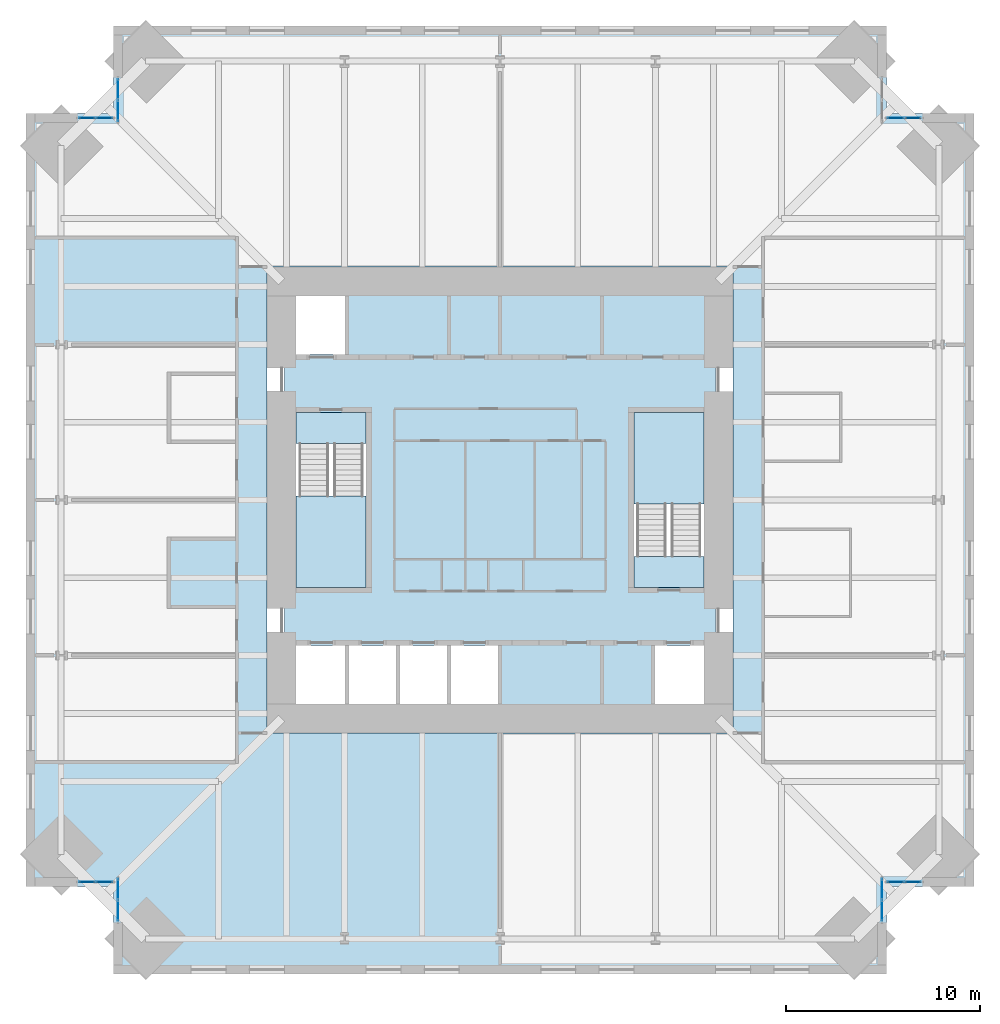
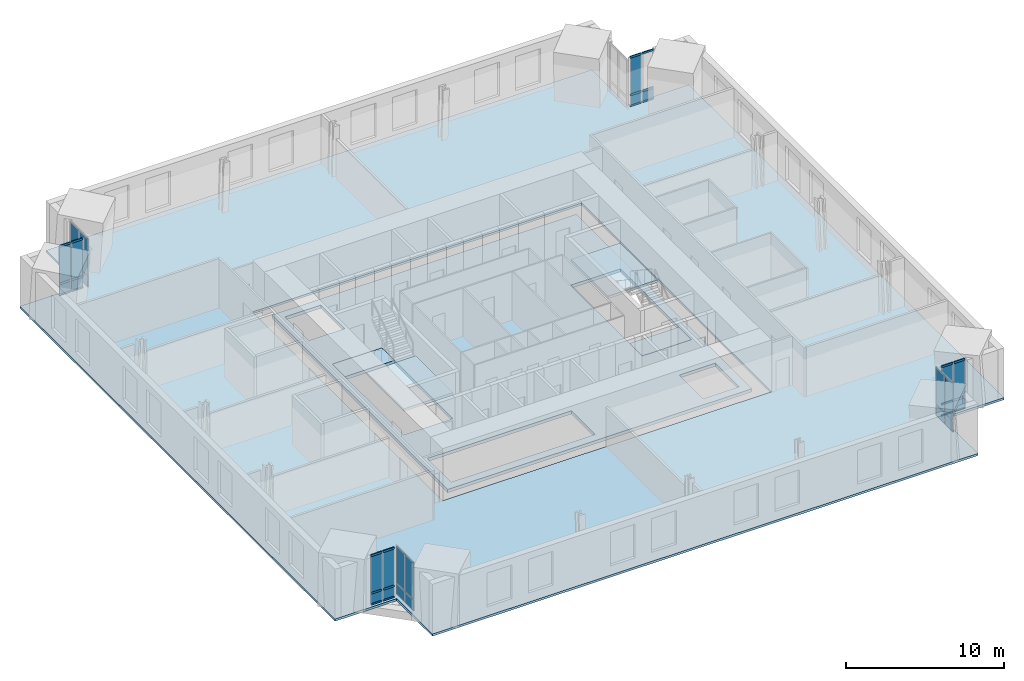
# One storey, part 9 of 15: 27 plates, 24 members, 6 slabs, 9 elements without a shape of their own.
"""IFC4 building model written with IfcOpenShell, lengths in metres."""

from ifc_helpers import new_model, si_unit, direction, frame, origin, origin_2d, place, context, subcontext, project, spatial, polyline, rectangle, hollow_rectangle, outline, extrude, material, layer, layer_set, material_profile, profile_set, type_object, element, aggregate, save


model = new_model("IFC4")

# Units and contexts
model_context = context("Model", 3, precision=1e-05, world=origin(), true_north=direction((0.0, 1.0)))
body_context = subcontext(model_context, "Body", "Model", "MODEL_VIEW")
ifc_project = project(units=[si_unit("LENGTHUNIT", "METRE"), si_unit("AREAUNIT", "SQUARE_METRE"), si_unit("VOLUMEUNIT", "CUBIC_METRE"), si_unit("PLANEANGLEUNIT", "RADIAN"), si_unit("MASSUNIT", "GRAM", prefix="KILO")], contexts=[model_context])

# Site, building, storey
site_placement = place(None, origin())
site = spatial("IfcSite", under=ifc_project, at=site_placement, CompositionType="ELEMENT")
building_placement = place(site_placement, origin())
building = spatial("IfcBuilding", under=site, at=building_placement, Name="Peilmerk Tower", CompositionType="ELEMENT")
storey_placement = place(building_placement, frame((0.0, 0.0, 205.800048828125)))
storey = spatial("IfcBuildingStorey", under=building, at=storey_placement, Name="L44", CompositionType="ELEMENT", Elevation=205.800048828125)

# Curtain wall, members
ifc_material_1 = material(Name="Aluminium stick curtain wall", Category="aluminium")
curtain_wall_type = type_object("IfcCurtainWallType", Name="CW4 stick curtain wall, 2250 module", PredefinedType="NOTDEFINED", material=ifc_material_1)
curtain_wall_1_placement = place(storey_placement, origin())
curtain_wall_1 = element("IfcCurtainWall", 1, at=curtain_wall_1_placement, inside=storey, type_object=curtain_wall_type, Name="Curtain wall CW4 NEB L44", PredefinedType="NOTDEFINED")
ifc_material_2 = material(Name="Aluminium EN AW-6063 T6", Category="aluminium")
ifc_material_profile = material_profile(ifc_material_2, hollow_rectangle(XDim=0.06494140625, YDim=0.14990234375, WallThickness=0.0029296875, at=origin_2d()), Name="AL 150x65x3")
ifc_profile_set = profile_set([ifc_material_profile], Name="Aluminium EN AW-6063 T6")
member_type = type_object("IfcMemberType", Name="CW4-T AL 150x65x3 transom", PredefinedType="USERDEFINED", material=ifc_profile_set)
member_1_placement = place(storey_placement, frame((19.965087890625, 19.675048828125, 0.032470703125), z_axis=(1.0, 0.0, 0.0), x_axis=(0.0, 1.0, 0.0)))
member_1 = element("IfcMember", 2, at=member_1_placement, type_object=member_type, Name="CW4 transom 1.1", ObjectType="TRANSOM", PredefinedType="USERDEFINED", context=body_context, shape_type="SweptSolid", body=[
    extrude(hollow_rectangle(XDim=0.06494140625, YDim=0.14990234375, WallThickness=0.0029296875, at=origin_2d()), origin(), (0.0, 0.0, 1.0), 0.82177734375),
])
member_2_placement = place(storey_placement, frame((19.965087890625, 19.675048828125, 0.89990234375), z_axis=(1.0, 0.0, 0.0), x_axis=(0.0, 1.0, 0.0)))
member_2 = element("IfcMember", 3, at=member_2_placement, type_object=member_type, Name="CW4 transom 1.2", ObjectType="TRANSOM", PredefinedType="USERDEFINED", context=body_context, shape_type="SweptSolid", body=[
    extrude(hollow_rectangle(XDim=0.06494140625, YDim=0.14990234375, WallThickness=0.0029296875, at=origin_2d()), origin(), (0.0, 0.0, 1.0), 0.82177734375),
])
member_3_placement = place(storey_placement, frame((19.965087890625, 19.675048828125, 3.79736328125), z_axis=(1.0, 0.0, 0.0), x_axis=(0.0, 1.0, 0.0)))
member_3 = element("IfcMember", 4, at=member_3_placement, type_object=member_type, Name="CW4 transom 1.3", ObjectType="TRANSOM", PredefinedType="USERDEFINED", context=body_context, shape_type="SweptSolid", body=[
    extrude(hollow_rectangle(XDim=0.06494140625, YDim=0.14990234375, WallThickness=0.0029296875, at=origin_2d()), origin(), (0.0, 0.0, 1.0), 0.82177734375),
])
member_4_placement = place(storey_placement, frame((20.851806640625, 19.675048828125, 0.032470703125), z_axis=(1.0, 0.0, 0.0), x_axis=(0.0, 1.0, 0.0)))
member_4 = element("IfcMember", 5, at=member_4_placement, type_object=member_type, Name="CW4 transom 2.1", ObjectType="TRANSOM", PredefinedType="USERDEFINED", context=body_context, shape_type="SweptSolid", body=[
    extrude(hollow_rectangle(XDim=0.06494140625, YDim=0.14990234375, WallThickness=0.0029296875, at=origin_2d()), origin(), (0.0, 0.0, 1.0), 0.82177734375),
])
member_5_placement = place(storey_placement, frame((20.851806640625, 19.675048828125, 0.89990234375), z_axis=(1.0, 0.0, 0.0), x_axis=(0.0, 1.0, 0.0)))
member_5 = element("IfcMember", 6, at=member_5_placement, type_object=member_type, Name="CW4 transom 2.2", ObjectType="TRANSOM", PredefinedType="USERDEFINED", context=body_context, shape_type="SweptSolid", body=[
    extrude(hollow_rectangle(XDim=0.06494140625, YDim=0.14990234375, WallThickness=0.0029296875, at=origin_2d()), origin(), (0.0, 0.0, 1.0), 0.82177734375),
])
member_6_placement = place(storey_placement, frame((20.851806640625, 19.675048828125, 3.79736328125), z_axis=(1.0, 0.0, 0.0), x_axis=(0.0, 1.0, 0.0)))
member_6 = element("IfcMember", 7, at=member_6_placement, type_object=member_type, Name="CW4 transom 2.3", ObjectType="TRANSOM", PredefinedType="USERDEFINED", context=body_context, shape_type="SweptSolid", body=[
    extrude(hollow_rectangle(XDim=0.06494140625, YDim=0.14990234375, WallThickness=0.0029296875, at=origin_2d()), origin(), (0.0, 0.0, 1.0), 0.82177734375),
])

curtain_wall_2_placement = place(storey_placement, origin())
curtain_wall_2 = element("IfcCurtainWall", 8, at=curtain_wall_2_placement, inside=storey, type_object=curtain_wall_type, Name="Curtain wall CW4 SEB L44", PredefinedType="NOTDEFINED")
member_7_placement = place(storey_placement, frame((19.965087890625, -19.675048828125, 0.032470703125), z_axis=(1.0, 0.0, 0.0), x_axis=(0.0, 1.0, 0.0)))
member_7 = element("IfcMember", 9, at=member_7_placement, type_object=member_type, Name="CW4 transom 1.1", ObjectType="TRANSOM", PredefinedType="USERDEFINED", context=body_context, shape_type="SweptSolid", body=[
    extrude(hollow_rectangle(XDim=0.06494140625, YDim=0.14990234375, WallThickness=0.0029296875, at=origin_2d()), origin(), (0.0, 0.0, 1.0), 0.82177734375),
])
member_8_placement = place(storey_placement, frame((19.965087890625, -19.675048828125, 0.89990234375), z_axis=(1.0, 0.0, 0.0), x_axis=(0.0, 1.0, 0.0)))
member_8 = element("IfcMember", 10, at=member_8_placement, type_object=member_type, Name="CW4 transom 1.2", ObjectType="TRANSOM", PredefinedType="USERDEFINED", context=body_context, shape_type="SweptSolid", body=[
    extrude(hollow_rectangle(XDim=0.06494140625, YDim=0.14990234375, WallThickness=0.0029296875, at=origin_2d()), origin(), (0.0, 0.0, 1.0), 0.82177734375),
])
member_9_placement = place(storey_placement, frame((19.965087890625, -19.675048828125, 3.79736328125), z_axis=(1.0, 0.0, 0.0), x_axis=(0.0, 1.0, 0.0)))
member_9 = element("IfcMember", 11, at=member_9_placement, type_object=member_type, Name="CW4 transom 1.3", ObjectType="TRANSOM", PredefinedType="USERDEFINED", context=body_context, shape_type="SweptSolid", body=[
    extrude(hollow_rectangle(XDim=0.06494140625, YDim=0.14990234375, WallThickness=0.0029296875, at=origin_2d()), origin(), (0.0, 0.0, 1.0), 0.82177734375),
])
member_10_placement = place(storey_placement, frame((20.851806640625, -19.675048828125, 0.032470703125), z_axis=(1.0, 0.0, 0.0), x_axis=(0.0, 1.0, 0.0)))
member_10 = element("IfcMember", 12, at=member_10_placement, type_object=member_type, Name="CW4 transom 2.1", ObjectType="TRANSOM", PredefinedType="USERDEFINED", context=body_context, shape_type="SweptSolid", body=[
    extrude(hollow_rectangle(XDim=0.06494140625, YDim=0.14990234375, WallThickness=0.0029296875, at=origin_2d()), origin(), (0.0, 0.0, 1.0), 0.82177734375),
])
member_11_placement = place(storey_placement, frame((20.851806640625, -19.675048828125, 0.89990234375), z_axis=(1.0, 0.0, 0.0), x_axis=(0.0, 1.0, 0.0)))
member_11 = element("IfcMember", 13, at=member_11_placement, type_object=member_type, Name="CW4 transom 2.2", ObjectType="TRANSOM", PredefinedType="USERDEFINED", context=body_context, shape_type="SweptSolid", body=[
    extrude(hollow_rectangle(XDim=0.06494140625, YDim=0.14990234375, WallThickness=0.0029296875, at=origin_2d()), origin(), (0.0, 0.0, 1.0), 0.82177734375),
])
member_12_placement = place(storey_placement, frame((20.851806640625, -19.675048828125, 3.79736328125), z_axis=(1.0, 0.0, 0.0), x_axis=(0.0, 1.0, 0.0)))
member_12 = element("IfcMember", 14, at=member_12_placement, type_object=member_type, Name="CW4 transom 2.3", ObjectType="TRANSOM", PredefinedType="USERDEFINED", context=body_context, shape_type="SweptSolid", body=[
    extrude(hollow_rectangle(XDim=0.06494140625, YDim=0.14990234375, WallThickness=0.0029296875, at=origin_2d()), origin(), (0.0, 0.0, 1.0), 0.82177734375),
])

curtain_wall_3_placement = place(storey_placement, origin())
curtain_wall_3 = element("IfcCurtainWall", 15, at=curtain_wall_3_placement, inside=storey, type_object=curtain_wall_type, Name="Curtain wall CW4 SWB L44", PredefinedType="NOTDEFINED")
member_13_placement = place(storey_placement, frame((-19.965087890625, -19.675048828125, 0.032470703125), z_axis=(-1.0, 0.0, 0.0), x_axis=(0.0, -1.0, 0.0)))
member_13 = element("IfcMember", 16, at=member_13_placement, type_object=member_type, Name="CW4 transom 1.1", ObjectType="TRANSOM", PredefinedType="USERDEFINED", context=body_context, shape_type="SweptSolid", body=[
    extrude(hollow_rectangle(XDim=0.06494140625, YDim=0.14990234375, WallThickness=0.0029296875, at=origin_2d()), origin(), (0.0, 0.0, 1.0), 0.82177734375),
])
member_14_placement = place(storey_placement, frame((-19.965087890625, -19.675048828125, 0.89990234375), z_axis=(-1.0, 0.0, 0.0), x_axis=(0.0, -1.0, 0.0)))
member_14 = element("IfcMember", 17, at=member_14_placement, type_object=member_type, Name="CW4 transom 1.2", ObjectType="TRANSOM", PredefinedType="USERDEFINED", context=body_context, shape_type="SweptSolid", body=[
    extrude(hollow_rectangle(XDim=0.06494140625, YDim=0.14990234375, WallThickness=0.0029296875, at=origin_2d()), origin(), (0.0, 0.0, 1.0), 0.82177734375),
])
member_15_placement = place(storey_placement, frame((-19.965087890625, -19.675048828125, 3.79736328125), z_axis=(-1.0, 0.0, 0.0), x_axis=(0.0, -1.0, 0.0)))
member_15 = element("IfcMember", 18, at=member_15_placement, type_object=member_type, Name="CW4 transom 1.3", ObjectType="TRANSOM", PredefinedType="USERDEFINED", context=body_context, shape_type="SweptSolid", body=[
    extrude(hollow_rectangle(XDim=0.06494140625, YDim=0.14990234375, WallThickness=0.0029296875, at=origin_2d()), origin(), (0.0, 0.0, 1.0), 0.82177734375),
])
member_16_placement = place(storey_placement, frame((-20.851806640625, -19.675048828125, 0.032470703125), z_axis=(-1.0, 0.0, 0.0), x_axis=(0.0, -1.0, 0.0)))
member_16 = element("IfcMember", 19, at=member_16_placement, type_object=member_type, Name="CW4 transom 2.1", ObjectType="TRANSOM", PredefinedType="USERDEFINED", context=body_context, shape_type="SweptSolid", body=[
    extrude(hollow_rectangle(XDim=0.06494140625, YDim=0.14990234375, WallThickness=0.0029296875, at=origin_2d()), origin(), (0.0, 0.0, 1.0), 0.82177734375),
])
member_17_placement = place(storey_placement, frame((-20.851806640625, -19.675048828125, 0.89990234375), z_axis=(-1.0, 0.0, 0.0), x_axis=(0.0, -1.0, 0.0)))
member_17 = element("IfcMember", 20, at=member_17_placement, type_object=member_type, Name="CW4 transom 2.2", ObjectType="TRANSOM", PredefinedType="USERDEFINED", context=body_context, shape_type="SweptSolid", body=[
    extrude(hollow_rectangle(XDim=0.06494140625, YDim=0.14990234375, WallThickness=0.0029296875, at=origin_2d()), origin(), (0.0, 0.0, 1.0), 0.82177734375),
])
member_18_placement = place(storey_placement, frame((-20.851806640625, -19.675048828125, 3.79736328125), z_axis=(-1.0, 0.0, 0.0), x_axis=(0.0, -1.0, 0.0)))
member_18 = element("IfcMember", 21, at=member_18_placement, type_object=member_type, Name="CW4 transom 2.3", ObjectType="TRANSOM", PredefinedType="USERDEFINED", context=body_context, shape_type="SweptSolid", body=[
    extrude(hollow_rectangle(XDim=0.06494140625, YDim=0.14990234375, WallThickness=0.0029296875, at=origin_2d()), origin(), (0.0, 0.0, 1.0), 0.82177734375),
])

curtain_wall_4_placement = place(storey_placement, origin())
curtain_wall_4 = element("IfcCurtainWall", 22, at=curtain_wall_4_placement, inside=storey, type_object=curtain_wall_type, Name="Curtain wall CW4 NWB L44", PredefinedType="NOTDEFINED")
member_19_placement = place(storey_placement, frame((-19.965087890625, 19.675048828125, 0.032470703125), z_axis=(-1.0, 0.0, 0.0), x_axis=(0.0, -1.0, 0.0)))
member_19 = element("IfcMember", 23, at=member_19_placement, type_object=member_type, Name="CW4 transom 1.1", ObjectType="TRANSOM", PredefinedType="USERDEFINED", context=body_context, shape_type="SweptSolid", body=[
    extrude(hollow_rectangle(XDim=0.06494140625, YDim=0.14990234375, WallThickness=0.0029296875, at=origin_2d()), origin(), (0.0, 0.0, 1.0), 0.82177734375),
])
member_20_placement = place(storey_placement, frame((-19.965087890625, 19.675048828125, 0.89990234375), z_axis=(-1.0, 0.0, 0.0), x_axis=(0.0, -1.0, 0.0)))
member_20 = element("IfcMember", 24, at=member_20_placement, type_object=member_type, Name="CW4 transom 1.2", ObjectType="TRANSOM", PredefinedType="USERDEFINED", context=body_context, shape_type="SweptSolid", body=[
    extrude(hollow_rectangle(XDim=0.06494140625, YDim=0.14990234375, WallThickness=0.0029296875, at=origin_2d()), origin(), (0.0, 0.0, 1.0), 0.82177734375),
])
member_21_placement = place(storey_placement, frame((-19.965087890625, 19.675048828125, 3.79736328125), z_axis=(-1.0, 0.0, 0.0), x_axis=(0.0, -1.0, 0.0)))
member_21 = element("IfcMember", 25, at=member_21_placement, type_object=member_type, Name="CW4 transom 1.3", ObjectType="TRANSOM", PredefinedType="USERDEFINED", context=body_context, shape_type="SweptSolid", body=[
    extrude(hollow_rectangle(XDim=0.06494140625, YDim=0.14990234375, WallThickness=0.0029296875, at=origin_2d()), origin(), (0.0, 0.0, 1.0), 0.82177734375),
])
member_22_placement = place(storey_placement, frame((-20.851806640625, 19.675048828125, 0.032470703125), z_axis=(-1.0, 0.0, 0.0), x_axis=(0.0, -1.0, 0.0)))
member_22 = element("IfcMember", 26, at=member_22_placement, type_object=member_type, Name="CW4 transom 2.1", ObjectType="TRANSOM", PredefinedType="USERDEFINED", context=body_context, shape_type="SweptSolid", body=[
    extrude(hollow_rectangle(XDim=0.06494140625, YDim=0.14990234375, WallThickness=0.0029296875, at=origin_2d()), origin(), (0.0, 0.0, 1.0), 0.82177734375),
])
member_23_placement = place(storey_placement, frame((-20.851806640625, 19.675048828125, 0.89990234375), z_axis=(-1.0, 0.0, 0.0), x_axis=(0.0, -1.0, 0.0)))
member_23 = element("IfcMember", 27, at=member_23_placement, type_object=member_type, Name="CW4 transom 2.2", ObjectType="TRANSOM", PredefinedType="USERDEFINED", context=body_context, shape_type="SweptSolid", body=[
    extrude(hollow_rectangle(XDim=0.06494140625, YDim=0.14990234375, WallThickness=0.0029296875, at=origin_2d()), origin(), (0.0, 0.0, 1.0), 0.82177734375),
])
member_24_placement = place(storey_placement, frame((-20.851806640625, 19.675048828125, 3.79736328125), z_axis=(-1.0, 0.0, 0.0), x_axis=(0.0, -1.0, 0.0)))
member_24 = element("IfcMember", 28, at=member_24_placement, type_object=member_type, Name="CW4 transom 2.3", ObjectType="TRANSOM", PredefinedType="USERDEFINED", context=body_context, shape_type="SweptSolid", body=[
    extrude(hollow_rectangle(XDim=0.06494140625, YDim=0.14990234375, WallThickness=0.0029296875, at=origin_2d()), origin(), (0.0, 0.0, 1.0), 0.82177734375),
])

# Slab
ifc_material_3 = material(Name="Concrete C55/67", Category="concrete")
ifc_layer_1 = layer(ifc_material_3, 0.25)
ifc_layer_set_1 = layer_set([ifc_layer_1], Name="Concrete C55/67")
slab_type_1 = type_object("IfcSlabType", Name="CS250 250 core floor slab", PredefinedType="FLOOR", material=ifc_layer_set_1)
slab_1_placement = place(storey_placement, frame((0.0, 0.0, -0.25)))
element("IfcSlab", 29, at=slab_1_placement, inside=storey, type_object=slab_type_1, Name="Core slab L44", PredefinedType="FLOOR", context=body_context, shape_type="SweptSolid", body=[
    extrude(outline(polyline([(11.10009765625, -11.10009765625), (11.10009765625, 11.10009765625), (-11.10009765625, 11.10009765625), (-11.10009765625, -11.10009765625), (11.10009765625, -11.10009765625)]), holes=[polyline([(-7.875, 7.5), (-10.5, 7.5), (-10.5, 10.5), (-7.875, 10.5), (-7.875, 7.5)]), polyline([(0.0, -10.5), (-10.5, -10.5), (-10.5, -7.5), (0.0, -7.5), (0.0, -10.5)]), polyline([(7.875, -10.5), (7.875, -7.5), (10.5, -7.5), (10.5, -10.5), (7.875, -10.5)]), polyline([(-10.5, 4.5), (-6.89990234375, 4.5), (-6.89990234375, -4.5), (-10.5, -4.5), (-10.5, 4.5)]), polyline([(10.5, 4.5), (10.5, -4.5), (6.89990234375, -4.5), (6.89990234375, 4.5), (10.5, 4.5)])]), origin(), (0.0, 0.0, 1.0), 0.25),
])

# Plate
ifc_material_4 = material(Name="Clear insulated glazing unit", Category="glass")
ifc_layer_2 = layer(ifc_material_4, 0.028076171875)
ifc_layer_set_2 = layer_set([ifc_layer_2], Name="Clear insulated glazing unit")
plate_type = type_object("IfcPlateType", Name="CW4-P 28 glazed panel", PredefinedType="CURTAIN_PANEL", material=ifc_layer_set_2)
plate_1_placement = place(storey_placement, frame((20.3759765625, 19.675048828125, 0.06494140625), z_axis=(0.0, 0.0, 1.0), x_axis=(1.0, 0.0, 0.0)))
plate_1 = element("IfcPlate", 30, at=plate_1_placement, type_object=plate_type, Name="CW4 panel 1.1", PredefinedType="CURTAIN_PANEL", context=body_context, shape_type="SweptSolid", body=[
    extrude(rectangle(XDim=0.82177734375, YDim=0.028076171875, at=origin_2d()), origin(), (0.0, 0.0, 1.0), 0.802490234375),
])

plate_2_placement = place(storey_placement, frame((20.3759765625, 19.675048828125, 0.932373046875), z_axis=(0.0, 0.0, 1.0), x_axis=(1.0, 0.0, 0.0)))
plate_2 = element("IfcPlate", 31, at=plate_2_placement, type_object=plate_type, Name="CW4 panel 1.2", PredefinedType="CURTAIN_PANEL", context=body_context, shape_type="SweptSolid", body=[
    extrude(rectangle(XDim=0.82177734375, YDim=0.028076171875, at=origin_2d()), origin(), (0.0, 0.0, 1.0), 2.83251953125),
])

plate_3_placement = place(storey_placement, frame((21.2626953125, 19.675048828125, 0.06494140625), z_axis=(0.0, 0.0, 1.0), x_axis=(1.0, 0.0, 0.0)))
plate_3 = element("IfcPlate", 32, at=plate_3_placement, type_object=plate_type, Name="CW4 panel 2.1", PredefinedType="CURTAIN_PANEL", context=body_context, shape_type="SweptSolid", body=[
    extrude(rectangle(XDim=0.82177734375, YDim=0.028076171875, at=origin_2d()), origin(), (0.0, 0.0, 1.0), 0.802490234375),
])

aggregate(curtain_wall_1, [member_1, member_2, member_3, plate_1, plate_2, member_4, member_5, member_6, plate_3])

# Curtain wall, plates
curtain_wall_5_placement = place(storey_placement, origin())
curtain_wall_5 = element("IfcCurtainWall", 33, at=curtain_wall_5_placement, inside=storey, type_object=curtain_wall_type, Name="Curtain wall CW4 SEA L44", PredefinedType="NOTDEFINED")
plate_4_placement = place(storey_placement, frame((19.675048828125, -20.038330078125, 0.06494140625), z_axis=(0.0, 0.0, 1.0), x_axis=(0.0, -1.0, 0.0)))
plate_4 = element("IfcPlate", 34, at=plate_4_placement, type_object=plate_type, Name="CW4 panel 1.1", PredefinedType="CURTAIN_PANEL", context=body_context, shape_type="SweptSolid", body=[
    extrude(rectangle(XDim=1.046875, YDim=0.028076171875, at=origin_2d()), origin(), (0.0, 0.0, 1.0), 0.802490234375),
])
plate_5_placement = place(storey_placement, frame((19.675048828125, -20.038330078125, 0.932373046875), z_axis=(0.0, 0.0, 1.0), x_axis=(0.0, -1.0, 0.0)))
plate_5 = element("IfcPlate", 35, at=plate_5_placement, type_object=plate_type, Name="CW4 panel 1.2", PredefinedType="CURTAIN_PANEL", context=body_context, shape_type="SweptSolid", body=[
    extrude(rectangle(XDim=1.046875, YDim=0.028076171875, at=origin_2d()), origin(), (0.0, 0.0, 1.0), 2.83251953125),
])
plate_6_placement = place(storey_placement, frame((19.675048828125, -21.150146484375, 0.06494140625), z_axis=(0.0, 0.0, 1.0), x_axis=(0.0, -1.0, 0.0)))
plate_6 = element("IfcPlate", 36, at=plate_6_placement, type_object=plate_type, Name="CW4 panel 2.1", PredefinedType="CURTAIN_PANEL", context=body_context, shape_type="SweptSolid", body=[
    extrude(rectangle(XDim=1.046875, YDim=0.028076171875, at=origin_2d()), origin(), (0.0, 0.0, 1.0), 0.802490234375),
])
plate_7_placement = place(storey_placement, frame((19.675048828125, -21.150146484375, 0.932373046875), z_axis=(0.0, 0.0, 1.0), x_axis=(0.0, -1.0, 0.0)))
plate_7 = element("IfcPlate", 37, at=plate_7_placement, type_object=plate_type, Name="CW4 panel 2.2", PredefinedType="CURTAIN_PANEL", context=body_context, shape_type="SweptSolid", body=[
    extrude(rectangle(XDim=1.046875, YDim=0.028076171875, at=origin_2d()), origin(), (0.0, 0.0, 1.0), 2.83251953125),
])
aggregate(curtain_wall_5, [plate_4, plate_5, plate_6, plate_7])

# Plate
plate_8_placement = place(storey_placement, frame((20.3759765625, -19.675048828125, 0.06494140625), z_axis=(0.0, 0.0, 1.0), x_axis=(1.0, 0.0, 0.0)))
plate_8 = element("IfcPlate", 38, at=plate_8_placement, type_object=plate_type, Name="CW4 panel 1.1", PredefinedType="CURTAIN_PANEL", context=body_context, shape_type="SweptSolid", body=[
    extrude(rectangle(XDim=0.82177734375, YDim=0.028076171875, at=origin_2d()), origin(), (0.0, 0.0, 1.0), 0.802490234375),
])

plate_9_placement = place(storey_placement, frame((20.3759765625, -19.675048828125, 0.932373046875), z_axis=(0.0, 0.0, 1.0), x_axis=(1.0, 0.0, 0.0)))
plate_9 = element("IfcPlate", 39, at=plate_9_placement, type_object=plate_type, Name="CW4 panel 1.2", PredefinedType="CURTAIN_PANEL", context=body_context, shape_type="SweptSolid", body=[
    extrude(rectangle(XDim=0.82177734375, YDim=0.028076171875, at=origin_2d()), origin(), (0.0, 0.0, 1.0), 2.83251953125),
])

plate_10_placement = place(storey_placement, frame((21.2626953125, -19.675048828125, 0.06494140625), z_axis=(0.0, 0.0, 1.0), x_axis=(1.0, 0.0, 0.0)))
plate_10 = element("IfcPlate", 40, at=plate_10_placement, type_object=plate_type, Name="CW4 panel 2.1", PredefinedType="CURTAIN_PANEL", context=body_context, shape_type="SweptSolid", body=[
    extrude(rectangle(XDim=0.82177734375, YDim=0.028076171875, at=origin_2d()), origin(), (0.0, 0.0, 1.0), 0.802490234375),
])

plate_11_placement = place(storey_placement, frame((21.2626953125, -19.675048828125, 0.932373046875), z_axis=(0.0, 0.0, 1.0), x_axis=(1.0, 0.0, 0.0)))
plate_11 = element("IfcPlate", 41, at=plate_11_placement, type_object=plate_type, Name="CW4 panel 2.2", PredefinedType="CURTAIN_PANEL", context=body_context, shape_type="SweptSolid", body=[
    extrude(rectangle(XDim=0.82177734375, YDim=0.028076171875, at=origin_2d()), origin(), (0.0, 0.0, 1.0), 2.83251953125),
])

aggregate(curtain_wall_2, [member_7, member_8, member_9, plate_8, plate_9, member_10, member_11, member_12, plate_10, plate_11])

# Curtain wall, plates
curtain_wall_6_placement = place(storey_placement, origin())
curtain_wall_6 = element("IfcCurtainWall", 42, at=curtain_wall_6_placement, inside=storey, type_object=curtain_wall_type, Name="Curtain wall CW4 SWA L44", PredefinedType="NOTDEFINED")
plate_12_placement = place(storey_placement, frame((-19.675048828125, -20.038330078125, 0.06494140625), z_axis=(0.0, 0.0, 1.0), x_axis=(0.0, -1.0, 0.0)))
plate_12 = element("IfcPlate", 43, at=plate_12_placement, type_object=plate_type, Name="CW4 panel 1.1", PredefinedType="CURTAIN_PANEL", context=body_context, shape_type="SweptSolid", body=[
    extrude(rectangle(XDim=1.046875, YDim=0.028076171875, at=origin_2d()), origin(), (0.0, 0.0, 1.0), 0.802490234375),
])
plate_13_placement = place(storey_placement, frame((-19.675048828125, -20.038330078125, 0.932373046875), z_axis=(0.0, 0.0, 1.0), x_axis=(0.0, -1.0, 0.0)))
plate_13 = element("IfcPlate", 44, at=plate_13_placement, type_object=plate_type, Name="CW4 panel 1.2", PredefinedType="CURTAIN_PANEL", context=body_context, shape_type="SweptSolid", body=[
    extrude(rectangle(XDim=1.046875, YDim=0.028076171875, at=origin_2d()), origin(), (0.0, 0.0, 1.0), 2.83251953125),
])
plate_14_placement = place(storey_placement, frame((-19.675048828125, -21.150146484375, 0.06494140625), z_axis=(0.0, 0.0, 1.0), x_axis=(0.0, -1.0, 0.0)))
plate_14 = element("IfcPlate", 45, at=plate_14_placement, type_object=plate_type, Name="CW4 panel 2.1", PredefinedType="CURTAIN_PANEL", context=body_context, shape_type="SweptSolid", body=[
    extrude(rectangle(XDim=1.046875, YDim=0.028076171875, at=origin_2d()), origin(), (0.0, 0.0, 1.0), 0.802490234375),
])
plate_15_placement = place(storey_placement, frame((-19.675048828125, -21.150146484375, 0.932373046875), z_axis=(0.0, 0.0, 1.0), x_axis=(0.0, -1.0, 0.0)))
plate_15 = element("IfcPlate", 46, at=plate_15_placement, type_object=plate_type, Name="CW4 panel 2.2", PredefinedType="CURTAIN_PANEL", context=body_context, shape_type="SweptSolid", body=[
    extrude(rectangle(XDim=1.046875, YDim=0.028076171875, at=origin_2d()), origin(), (0.0, 0.0, 1.0), 2.83251953125),
])
aggregate(curtain_wall_6, [plate_12, plate_13, plate_14, plate_15])

# Plate
plate_16_placement = place(storey_placement, frame((-20.3759765625, -19.675048828125, 0.06494140625), z_axis=(0.0, 0.0, 1.0), x_axis=(-1.0, 0.0, 0.0)))
plate_16 = element("IfcPlate", 47, at=plate_16_placement, type_object=plate_type, Name="CW4 panel 1.1", PredefinedType="CURTAIN_PANEL", context=body_context, shape_type="SweptSolid", body=[
    extrude(rectangle(XDim=0.82177734375, YDim=0.028076171875, at=origin_2d()), origin(), (0.0, 0.0, 1.0), 0.802490234375),
])

plate_17_placement = place(storey_placement, frame((-20.3759765625, -19.675048828125, 0.932373046875), z_axis=(0.0, 0.0, 1.0), x_axis=(-1.0, 0.0, 0.0)))
plate_17 = element("IfcPlate", 48, at=plate_17_placement, type_object=plate_type, Name="CW4 panel 1.2", PredefinedType="CURTAIN_PANEL", context=body_context, shape_type="SweptSolid", body=[
    extrude(rectangle(XDim=0.82177734375, YDim=0.028076171875, at=origin_2d()), origin(), (0.0, 0.0, 1.0), 2.83251953125),
])

plate_18_placement = place(storey_placement, frame((-21.2626953125, -19.675048828125, 0.06494140625), z_axis=(0.0, 0.0, 1.0), x_axis=(-1.0, 0.0, 0.0)))
plate_18 = element("IfcPlate", 49, at=plate_18_placement, type_object=plate_type, Name="CW4 panel 2.1", PredefinedType="CURTAIN_PANEL", context=body_context, shape_type="SweptSolid", body=[
    extrude(rectangle(XDim=0.82177734375, YDim=0.028076171875, at=origin_2d()), origin(), (0.0, 0.0, 1.0), 0.802490234375),
])

plate_19_placement = place(storey_placement, frame((-21.2626953125, -19.675048828125, 0.932373046875), z_axis=(0.0, 0.0, 1.0), x_axis=(-1.0, 0.0, 0.0)))
plate_19 = element("IfcPlate", 50, at=plate_19_placement, type_object=plate_type, Name="CW4 panel 2.2", PredefinedType="CURTAIN_PANEL", context=body_context, shape_type="SweptSolid", body=[
    extrude(rectangle(XDim=0.82177734375, YDim=0.028076171875, at=origin_2d()), origin(), (0.0, 0.0, 1.0), 2.83251953125),
])

aggregate(curtain_wall_3, [member_13, member_14, member_15, plate_16, plate_17, member_16, member_17, member_18, plate_18, plate_19])

# Curtain wall, plates
curtain_wall_7_placement = place(storey_placement, origin())
curtain_wall_7 = element("IfcCurtainWall", 51, at=curtain_wall_7_placement, inside=storey, type_object=curtain_wall_type, Name="Curtain wall CW4 NWA L44", PredefinedType="NOTDEFINED")
plate_20_placement = place(storey_placement, frame((-19.675048828125, 20.038330078125, 0.06494140625), z_axis=(0.0, 0.0, 1.0), x_axis=(0.0, 1.0, 0.0)))
plate_20 = element("IfcPlate", 52, at=plate_20_placement, type_object=plate_type, Name="CW4 panel 1.1", PredefinedType="CURTAIN_PANEL", context=body_context, shape_type="SweptSolid", body=[
    extrude(rectangle(XDim=1.046875, YDim=0.028076171875, at=origin_2d()), origin(), (0.0, 0.0, 1.0), 0.802490234375),
])
plate_21_placement = place(storey_placement, frame((-19.675048828125, 20.038330078125, 0.932373046875), z_axis=(0.0, 0.0, 1.0), x_axis=(0.0, 1.0, 0.0)))
plate_21 = element("IfcPlate", 53, at=plate_21_placement, type_object=plate_type, Name="CW4 panel 1.2", PredefinedType="CURTAIN_PANEL", context=body_context, shape_type="SweptSolid", body=[
    extrude(rectangle(XDim=1.046875, YDim=0.028076171875, at=origin_2d()), origin(), (0.0, 0.0, 1.0), 2.83251953125),
])
plate_22_placement = place(storey_placement, frame((-19.675048828125, 21.150146484375, 0.06494140625), z_axis=(0.0, 0.0, 1.0), x_axis=(0.0, 1.0, 0.0)))
plate_22 = element("IfcPlate", 54, at=plate_22_placement, type_object=plate_type, Name="CW4 panel 2.1", PredefinedType="CURTAIN_PANEL", context=body_context, shape_type="SweptSolid", body=[
    extrude(rectangle(XDim=1.046875, YDim=0.028076171875, at=origin_2d()), origin(), (0.0, 0.0, 1.0), 0.802490234375),
])
plate_23_placement = place(storey_placement, frame((-19.675048828125, 21.150146484375, 0.932373046875), z_axis=(0.0, 0.0, 1.0), x_axis=(0.0, 1.0, 0.0)))
plate_23 = element("IfcPlate", 55, at=plate_23_placement, type_object=plate_type, Name="CW4 panel 2.2", PredefinedType="CURTAIN_PANEL", context=body_context, shape_type="SweptSolid", body=[
    extrude(rectangle(XDim=1.046875, YDim=0.028076171875, at=origin_2d()), origin(), (0.0, 0.0, 1.0), 2.83251953125),
])
aggregate(curtain_wall_7, [plate_20, plate_21, plate_22, plate_23])

# Plate
plate_24_placement = place(storey_placement, frame((-20.3759765625, 19.675048828125, 0.06494140625), z_axis=(0.0, 0.0, 1.0), x_axis=(-1.0, 0.0, 0.0)))
plate_24 = element("IfcPlate", 56, at=plate_24_placement, type_object=plate_type, Name="CW4 panel 1.1", PredefinedType="CURTAIN_PANEL", context=body_context, shape_type="SweptSolid", body=[
    extrude(rectangle(XDim=0.82177734375, YDim=0.028076171875, at=origin_2d()), origin(), (0.0, 0.0, 1.0), 0.802490234375),
])

plate_25_placement = place(storey_placement, frame((-20.3759765625, 19.675048828125, 0.932373046875), z_axis=(0.0, 0.0, 1.0), x_axis=(-1.0, 0.0, 0.0)))
plate_25 = element("IfcPlate", 57, at=plate_25_placement, type_object=plate_type, Name="CW4 panel 1.2", PredefinedType="CURTAIN_PANEL", context=body_context, shape_type="SweptSolid", body=[
    extrude(rectangle(XDim=0.82177734375, YDim=0.028076171875, at=origin_2d()), origin(), (0.0, 0.0, 1.0), 2.83251953125),
])

plate_26_placement = place(storey_placement, frame((-21.2626953125, 19.675048828125, 0.06494140625), z_axis=(0.0, 0.0, 1.0), x_axis=(-1.0, 0.0, 0.0)))
plate_26 = element("IfcPlate", 58, at=plate_26_placement, type_object=plate_type, Name="CW4 panel 2.1", PredefinedType="CURTAIN_PANEL", context=body_context, shape_type="SweptSolid", body=[
    extrude(rectangle(XDim=0.82177734375, YDim=0.028076171875, at=origin_2d()), origin(), (0.0, 0.0, 1.0), 0.802490234375),
])

plate_27_placement = place(storey_placement, frame((-21.2626953125, 19.675048828125, 0.932373046875), z_axis=(0.0, 0.0, 1.0), x_axis=(-1.0, 0.0, 0.0)))
plate_27 = element("IfcPlate", 59, at=plate_27_placement, type_object=plate_type, Name="CW4 panel 2.2", PredefinedType="CURTAIN_PANEL", context=body_context, shape_type="SweptSolid", body=[
    extrude(rectangle(XDim=0.82177734375, YDim=0.028076171875, at=origin_2d()), origin(), (0.0, 0.0, 1.0), 2.83251953125),
])

aggregate(curtain_wall_4, [member_19, member_20, member_21, plate_24, plate_25, member_22, member_23, member_24, plate_26, plate_27])

# Slab
ifc_material_5 = material(Name="Concrete C35/45", Category="concrete")
ifc_layer_3 = layer(ifc_material_5, 0.169921875)
ifc_layer_set_3 = layer_set([ifc_layer_3], Name="Concrete C35/45")
slab_type_2 = type_object("IfcSlabType", Name="FS170 170 composite floor slab", PredefinedType="FLOOR", material=ifc_layer_set_3)
slab_2_placement = place(storey_placement, frame((0.0, 0.0, -0.170166015625)))
element("IfcSlab", 60, at=slab_2_placement, inside=storey, type_object=slab_type_2, Name="Floor slab L44", PredefinedType="FLOOR", context=body_context, shape_type="SweptSolid", body=[
    extrude(outline(polyline([(-19.89990234375, -24.39990234375), (19.89990234375, -24.39990234375), (19.89990234375, -19.89990234375), (24.39990234375, -19.89990234375), (24.39990234375, 19.89990234375), (19.89990234375, 19.89990234375), (19.89990234375, 24.39990234375), (-19.89990234375, 24.39990234375), (-19.89990234375, 19.89990234375), (-24.39990234375, 19.89990234375), (-24.39990234375, -19.89990234375), (-19.89990234375, -19.89990234375), (-19.89990234375, -24.39990234375)]), holes=[polyline([(12.0, 12.0), (12.0, -12.0), (-12.0, -12.0), (-12.0, 12.0), (12.0, 12.0)])]), origin(), (0.0, 0.0, 1.0), 0.170166015625),
])

# Stair, slab
ifc_material_6 = material(Name="Precast concrete C45/55", Category="concrete")
stair_type_1 = type_object("IfcStairType", Name="ST1 22 risers of 181.8", PredefinedType="HALF_TURN_STAIR", material=ifc_material_6)
stair_1_placement = place(storey_placement, origin())
stair_1 = element("IfcStair", 61, at=stair_1_placement, inside=storey, type_object=stair_type_1, Name="Stair 1 L44 to L45", PredefinedType="HALF_TURN_STAIR")
ifc_layer_4 = layer(ifc_material_5, 0.199951171875)
ifc_layer_set_4 = layer_set([ifc_layer_4], Name="Concrete C35/45")
slab_type_3 = type_object("IfcSlabType", Name="SL1 200 concrete stair landing", PredefinedType="LANDING", material=ifc_layer_set_4)
slab_3_placement = place(storey_placement, frame((0.0, 0.0, 1.800048828125)))
slab_3 = element("IfcSlab", 62, at=slab_3_placement, type_object=slab_type_3, Name="ST1 landing 1", PredefinedType="LANDING", context=body_context, shape_type="SweptSolid", body=[
    extrude(outline(polyline([(-10.5, -4.5), (-6.89990234375, -4.5), (-6.89990234375, 0.199951171875), (-10.5, 0.199951171875), (-10.5, -4.5)])), origin(), (0.0, 0.0, 1.0), 0.199951171875),
])

stair_type_2 = type_object("IfcStairType", Name="ST2 22 risers of 181.8", PredefinedType="HALF_TURN_STAIR", material=ifc_material_6)
stair_2_placement = place(storey_placement, origin())
stair_2 = element("IfcStair", 63, at=stair_2_placement, inside=storey, type_object=stair_type_2, Name="Stair 2 L44 to L45", PredefinedType="HALF_TURN_STAIR")
slab_4_placement = place(storey_placement, frame((0.0, 0.0, 1.800048828125)))
slab_4 = element("IfcSlab", 64, at=slab_4_placement, type_object=slab_type_3, Name="ST2 landing 1", PredefinedType="LANDING", context=body_context, shape_type="SweptSolid", body=[
    extrude(outline(polyline([(6.89990234375, -0.199951171875), (10.5, -0.199951171875), (10.5, 4.5), (6.89990234375, 4.5), (6.89990234375, -0.199951171875)])), origin(), (0.0, 0.0, 1.0), 0.199951171875),
])

# Slab
ifc_layer_5 = layer(ifc_material_5, 0.25)
ifc_layer_set_5 = layer_set([ifc_layer_5], Name="Concrete C35/45")
slab_type_4 = type_object("IfcSlabType", Name="SL2 250 concrete floor landing", PredefinedType="LANDING", material=ifc_layer_set_5)
slab_5_placement = place(storey_placement, frame((0.0, 0.0, -0.25)))
slab_5 = element("IfcSlab", 65, at=slab_5_placement, type_object=slab_type_4, Name="ST1 floor landing", PredefinedType="LANDING", context=body_context, shape_type="SweptSolid", body=[
    extrude(outline(polyline([(-10.5, 2.89990234375), (-6.89990234375, 2.89990234375), (-6.89990234375, 4.5), (-10.5, 4.5), (-10.5, 2.89990234375)])), origin(), (0.0, 0.0, 1.0), 0.25),
])

aggregate(stair_1, [slab_3, slab_5])

slab_6_placement = place(storey_placement, frame((0.0, 0.0, -0.25)))
slab_6 = element("IfcSlab", 66, at=slab_6_placement, type_object=slab_type_4, Name="ST2 floor landing", PredefinedType="LANDING", context=body_context, shape_type="SweptSolid", body=[
    extrude(outline(polyline([(6.89990234375, -4.5), (10.5, -4.5), (10.5, -2.89990234375), (6.89990234375, -2.89990234375), (6.89990234375, -4.5)])), origin(), (0.0, 0.0, 1.0), 0.25),
])

aggregate(stair_2, [slab_4, slab_6])

save(model, "model.ifc")
